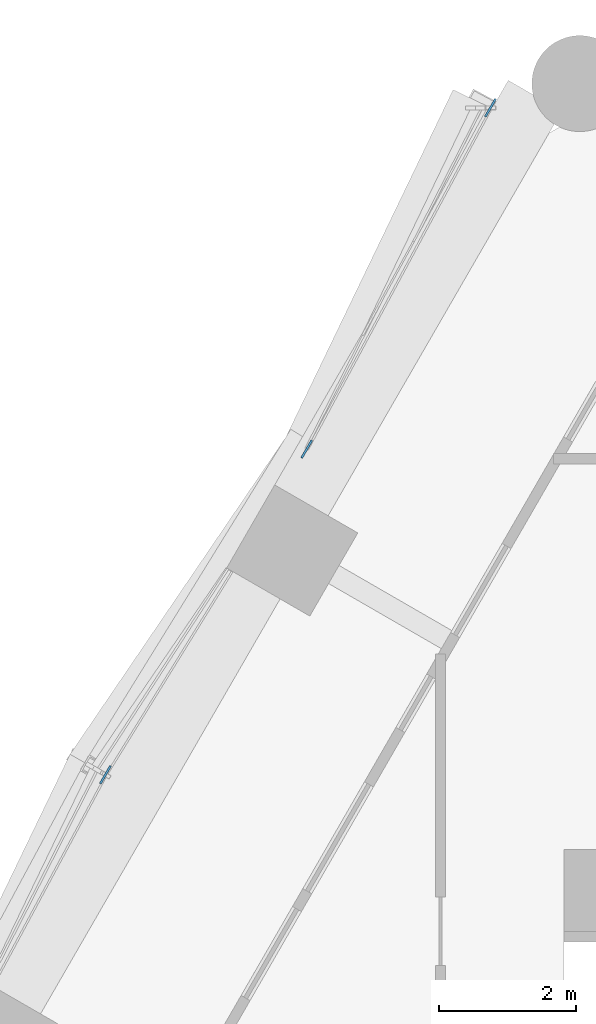
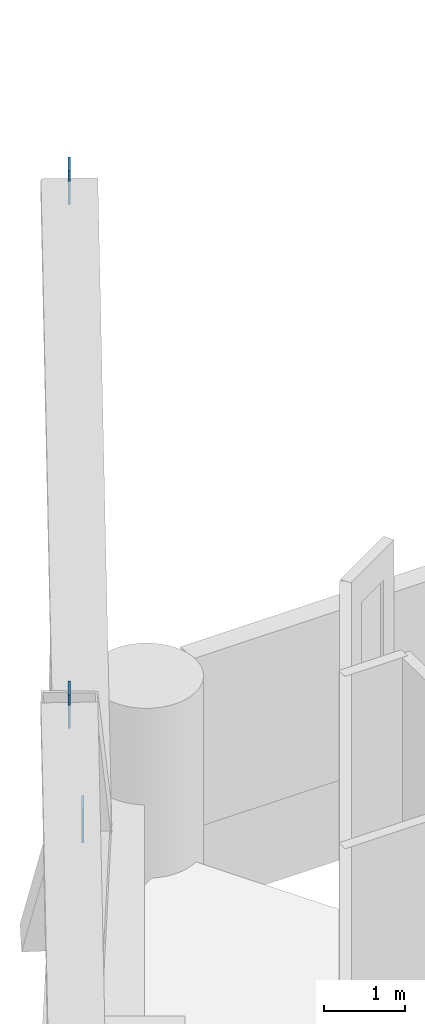
# One storey, part 20 of 22: 3 discrete accessories.
"""IFC4 building model written with IfcOpenShell, lengths in metres."""

from ifc_helpers import new_model, si_unit, direction, frame, origin, origin_2d, place, context, subcontext, project, spatial, rectangle, extrude, material, layer, layer_set, type_object, element, save


model = new_model("IFC4")

# Units and contexts
model_context = context("Model", 3, precision=1e-05, world=origin(), true_north=direction((0.0, 1.0)))
body_context = subcontext(model_context, "Body", "Model", "MODEL_VIEW")
ifc_project = project(units=[si_unit("LENGTHUNIT", "METRE"), si_unit("AREAUNIT", "SQUARE_METRE"), si_unit("VOLUMEUNIT", "CUBIC_METRE"), si_unit("PLANEANGLEUNIT", "RADIAN"), si_unit("MASSUNIT", "GRAM", prefix="KILO")], contexts=[model_context])

# Site, building, storey
site_placement = place(None, origin())
site = spatial("IfcSite", under=ifc_project, at=site_placement, CompositionType="ELEMENT")
building_placement = place(site_placement, origin())
building = spatial("IfcBuilding", under=site, at=building_placement, Name="Ostrander Bayou Hotel Tower", CompositionType="ELEMENT")
storey_placement = place(building_placement, frame((0.0, 0.0, 46.75)))
storey = spatial("IfcBuildingStorey", under=building, at=storey_placement, Name="L11", CompositionType="ELEMENT", Elevation=46.75)

# Discrete accessories
ifc_material = material(Name="Steel ASTM A572 Gr 50", Category="steel")
ifc_layer = layer(ifc_material, 0.030029296875)
ifc_layer_set = layer_set([ifc_layer], Name="GP1 gusset plate 30 mm")
discrete_accessory_type = type_object("IfcDiscreteAccessoryType", Name="GP1 gusset plate 30 mm", PredefinedType="BRACKET", material=ifc_layer_set)
for number, where, z_axis, x_axis, name in (
    (1, (-15.751708984375, 15.539306640625, 4.77490234375), (0.0, 0.0, 1.0), (-0.5, -0.866025403784, 0.0), "GP1 gusset plate lat 91"),
    (2, (-13.071044921875, 20.5185546875, 10.39990234375), (0.0, 0.0, 1.0), (-0.5, -0.866025403784, 0.0), "GP1 gusset plate lat 92"),
    (3, (-18.68798828125, 10.78955078125, 10.39990234375), (0.0, 0.0, 1.0), (-0.5, -0.866025403784, 0.0), "GP1 gusset plate lat 93"),
):
    element("IfcDiscreteAccessory", number, at=place(storey_placement, frame(where, z_axis=z_axis, x_axis=x_axis)), inside=storey, type_object=discrete_accessory_type, Name=name, PredefinedType="BRACKET", context=body_context, shape_type="SweptSolid", body=[
        extrude(rectangle(XDim=0.300048828125, YDim=0.030029296875, at=origin_2d()), origin(), (0.0, 0.0, 1.0), 0.5),
    ])

save(model, "model.ifc")
